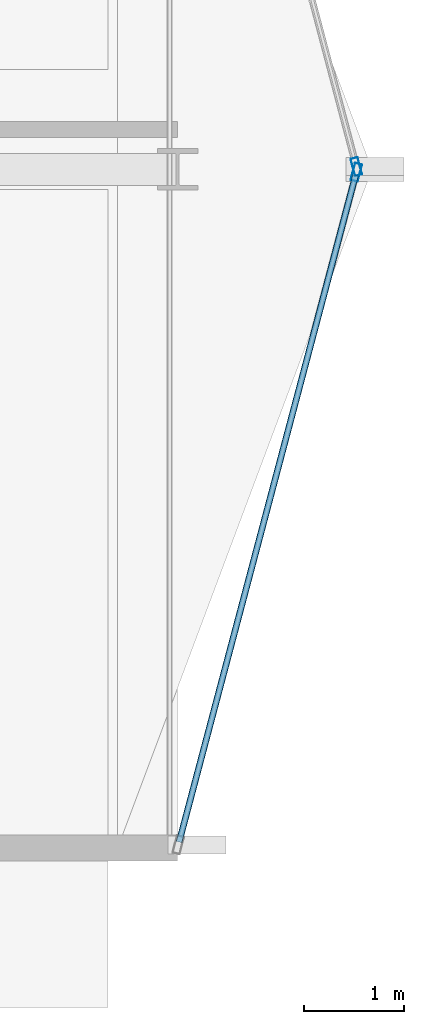
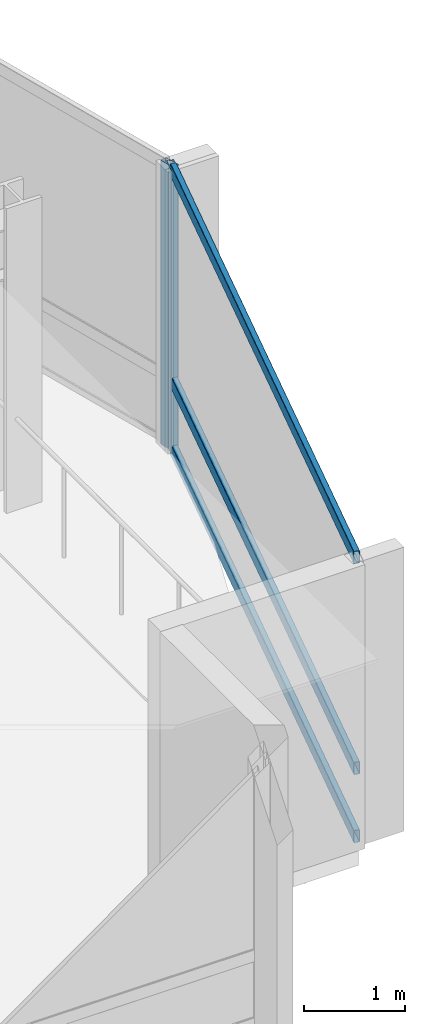
# One storey, part 11 of 27: 5 members, 2 elements without a shape of their own.
"""IFC4 building model written with IfcOpenShell, lengths in metres."""

from ifc_helpers import new_model, si_unit, direction, frame, origin, origin_2d, place, context, subcontext, project, spatial, hollow_rectangle, extrude, material, layer, layer_set, material_profile, profile_set, type_object, element, aggregate, save


model = new_model("IFC4")

# Units and contexts
model_context = context("Model", 3, precision=1e-05, world=origin(), true_north=direction((0.0, 1.0)))
body_context = subcontext(model_context, "Body", "Model", "MODEL_VIEW")
ifc_project = project(units=[si_unit("LENGTHUNIT", "METRE"), si_unit("AREAUNIT", "SQUARE_METRE"), si_unit("VOLUMEUNIT", "CUBIC_METRE"), si_unit("PLANEANGLEUNIT", "RADIAN"), si_unit("MASSUNIT", "GRAM", prefix="KILO")], contexts=[model_context])

# Site, building, storey
site_placement = place(None, origin())
site = spatial("IfcSite", under=ifc_project, at=site_placement, CompositionType="ELEMENT")
building_placement = place(site_placement, origin())
building = spatial("IfcBuilding", under=site, at=building_placement, Name="Solvaryn Broadcast Tower", CompositionType="ELEMENT")
storey_placement = place(building_placement, frame((0.0, 0.0, 185.300048828125)))
storey = spatial("IfcBuildingStorey", under=building, at=storey_placement, Name="L46", CompositionType="ELEMENT", Elevation=185.300048828125)

# Curtain wall, member
ifc_material_1 = material(Name="Aluminium and Terracotta Unitised Curtain Wall", Category="masonry")
ifc_layer = layer(ifc_material_1, 0.199951171875)
ifc_layer_set = layer_set([ifc_layer], Name="CW-SYS2-LOWMID")
curtain_wall_type = type_object("IfcCurtainWallType", Name="CW-SYS2-LOWMID", PredefinedType="NOTDEFINED", material=ifc_layer_set)
curtain_wall_1_placement = place(storey_placement, origin())
curtain_wall_1 = element("IfcCurtainWall", 1, at=curtain_wall_1_placement, inside=storey, type_object=curtain_wall_type, Name="L46 Curtain Wall ET1", PredefinedType="NOTDEFINED")
ifc_material_2 = material(Name="Anodised Aluminium 6063-T6", Category="aluminium")
ifc_material_profile_1 = material_profile(ifc_material_2, hollow_rectangle(XDim=0.074951171875, YDim=0.179931640625, WallThickness=0.00390625, InnerFilletRadius=0.00390625, OuterFilletRadius=0.008056640625, at=origin_2d()))
ifc_profile_set_1 = profile_set([ifc_material_profile_1], Name="Anodised Aluminium 6063-T6")
member_type_1 = type_object("IfcMemberType", Name="CW-MUL-180", PredefinedType="MULLION", material=ifc_profile_set_1)
member_1_placement = place(storey_placement, frame((55.792236328125, 18.029052734375, 0.0), z_axis=(0.0, 0.0, 1.0), x_axis=(0.966705227863, 0.25589256031, 0.0)))
member_1 = element("IfcMember", 2, at=member_1_placement, type_object=member_type_1, Name="CWS2 mullion 2", PredefinedType="MULLION", context=body_context, shape_type="SweptSolid", body=[
    extrude(hollow_rectangle(XDim=0.074951171875, YDim=0.179931640625, WallThickness=0.00390625, InnerFilletRadius=0.00390625, OuterFilletRadius=0.008056640625, at=origin_2d()), origin(), (0.0, 0.0, 1.0), 3.419921875),
])
aggregate(curtain_wall_1, [member_1])

# Curtain wall, members
curtain_wall_2_placement = place(storey_placement, origin())
curtain_wall_2 = element("IfcCurtainWall", 3, at=curtain_wall_2_placement, inside=storey, type_object=curtain_wall_type, Name="L46 Curtain Wall ET2", PredefinedType="NOTDEFINED")
member_2_placement = place(storey_placement, frame((55.792236328125, 17.970947265625, 0.0), z_axis=(0.0, 0.0, 1.0), x_axis=(0.966705227863, -0.25589256031, 0.0)))
member_2 = element("IfcMember", 4, at=member_2_placement, type_object=member_type_1, Name="CWS2 mullion 1", PredefinedType="MULLION", context=body_context, shape_type="SweptSolid", body=[
    extrude(hollow_rectangle(XDim=0.074951171875, YDim=0.179931640625, WallThickness=0.00390625, InnerFilletRadius=0.00390625, OuterFilletRadius=0.008056640625, at=origin_2d()), origin(), (0.0, 0.0, 1.0), 3.419921875),
])
ifc_material_3 = material(Name="Anodised Aluminium 6063-T6", Category="aluminium")
ifc_material_profile_2 = material_profile(ifc_material_3, hollow_rectangle(XDim=0.06494140625, YDim=0.14990234375, WallThickness=0.00390625, InnerFilletRadius=0.00390625, OuterFilletRadius=0.008056640625, at=origin_2d()))
ifc_profile_set_2 = profile_set([ifc_material_profile_2], Name="Anodised Aluminium 6063-T6")
member_type_2 = type_object("IfcMemberType", Name="CW-TRN-150", PredefinedType="USERDEFINED", material=ifc_profile_set_2)
member_3_placement = place(storey_placement, frame((55.78466796875, 17.94189453125, 0.030029296875), z_axis=(-0.255897413051, -0.966703943301, 0.0), x_axis=(0.966703943301, -0.255897413051, 0.0)))
member_3 = element("IfcMember", 5, at=member_3_placement, type_object=member_type_2, Name="CWS2 transom 1.1", ObjectType="TRANSOM", PredefinedType="USERDEFINED", context=body_context, shape_type="SweptSolid", body=[
    extrude(hollow_rectangle(XDim=0.06494140625, YDim=0.14990234375, WallThickness=0.00390625, InnerFilletRadius=0.00390625, OuterFilletRadius=0.008056640625, at=origin_2d()), origin(), (0.0, 0.0, 1.0), 6.9140625),
])
member_4_placement = place(storey_placement, frame((55.78466796875, 17.94189453125, 0.849853515625), z_axis=(-0.255897413051, -0.966703943301, 0.0), x_axis=(0.966703943301, -0.255897413051, 0.0)))
member_4 = element("IfcMember", 6, at=member_4_placement, type_object=member_type_2, Name="CWS2 transom 1.2", ObjectType="TRANSOM", PredefinedType="USERDEFINED", context=body_context, shape_type="SweptSolid", body=[
    extrude(hollow_rectangle(XDim=0.06494140625, YDim=0.14990234375, WallThickness=0.00390625, InnerFilletRadius=0.00390625, OuterFilletRadius=0.008056640625, at=origin_2d()), origin(), (0.0, 0.0, 1.0), 6.9140625),
])
member_5_placement = place(storey_placement, frame((55.78466796875, 17.94189453125, 3.389892578125), z_axis=(-0.255897413051, -0.966703943301, 0.0), x_axis=(0.966703943301, -0.255897413051, 0.0)))
member_5 = element("IfcMember", 7, at=member_5_placement, type_object=member_type_2, Name="CWS2 transom 1.3", ObjectType="TRANSOM", PredefinedType="USERDEFINED", context=body_context, shape_type="SweptSolid", body=[
    extrude(hollow_rectangle(XDim=0.06494140625, YDim=0.14990234375, WallThickness=0.00390625, InnerFilletRadius=0.00390625, OuterFilletRadius=0.008056640625, at=origin_2d()), origin(), (0.0, 0.0, 1.0), 6.9140625),
])
aggregate(curtain_wall_2, [member_2, member_3, member_4, member_5])

save(model, "model.ifc")
